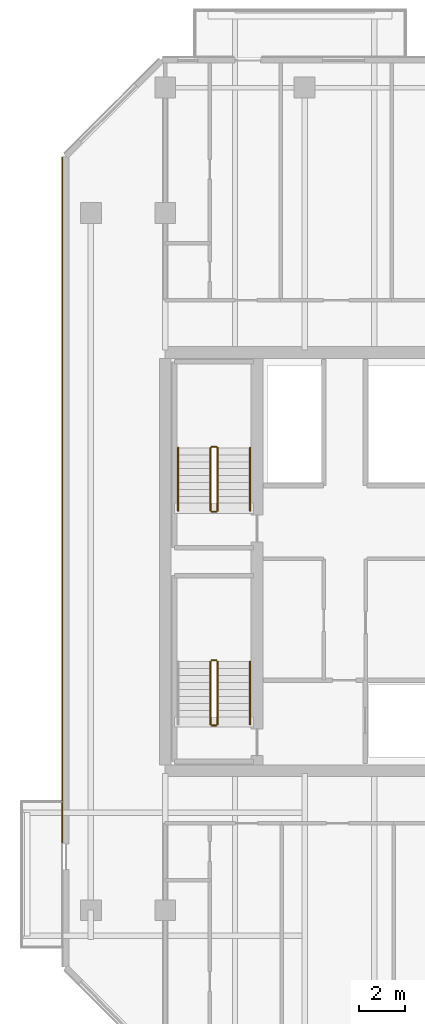
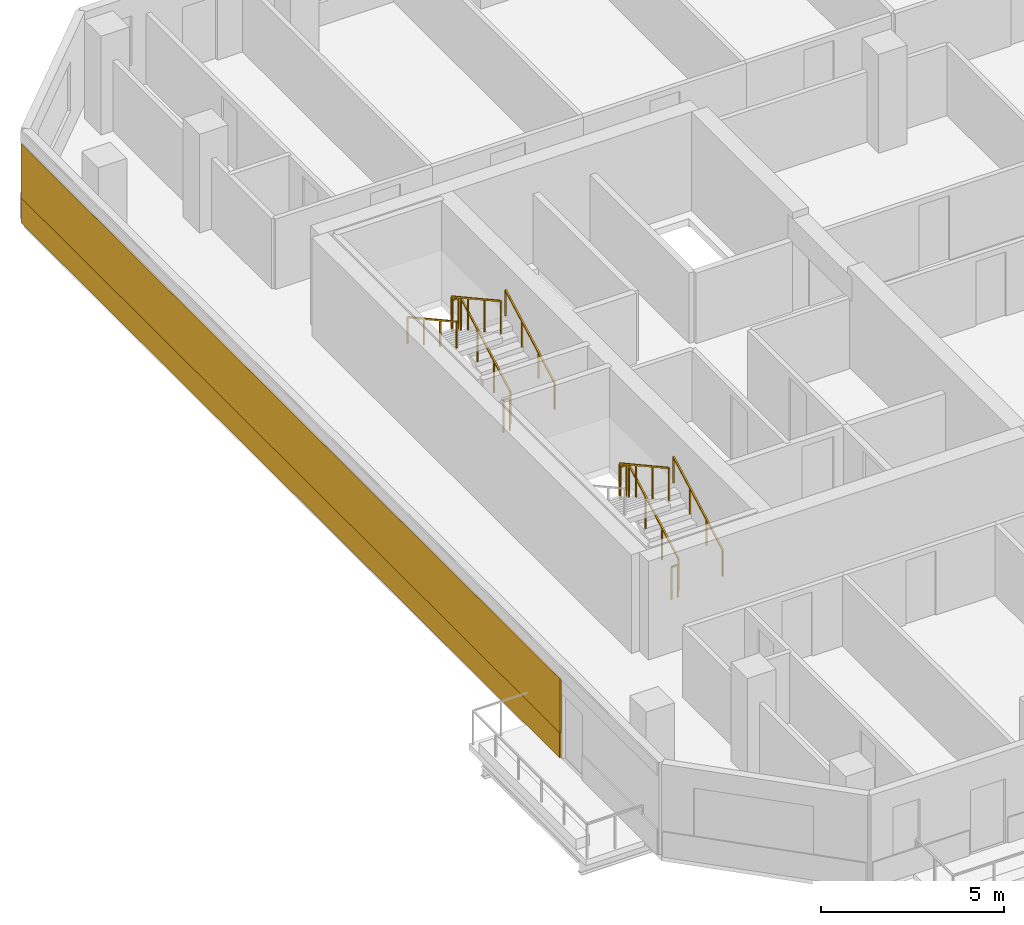
# One storey, part 17 of 19: 11 railings, 2 coverings.
"""IFC4 building model written with IfcOpenShell, lengths in metres."""

from ifc_helpers import new_model, si_unit, direction, frame, origin, origin_2d, place, context, subcontext, project, spatial, rectangle, extrude, material, layer, layer_set, type_object, element, save


model = new_model("IFC4")

# Units and contexts
model_context = context("Model", 3, precision=1e-05, world=origin(), true_north=direction((0.0, 1.0)))
body_context = subcontext(model_context, "Body", "Model", "MODEL_VIEW")
ifc_project = project(units=[si_unit("LENGTHUNIT", "METRE"), si_unit("AREAUNIT", "SQUARE_METRE"), si_unit("VOLUMEUNIT", "CUBIC_METRE"), si_unit("PLANEANGLEUNIT", "RADIAN"), si_unit("MASSUNIT", "GRAM", prefix="KILO")], contexts=[model_context])

# Site, building, storey
site_placement = place(None, origin())
site = spatial("IfcSite", under=ifc_project, at=site_placement, CompositionType="ELEMENT")
building_placement = place(site_placement, origin())
building = spatial("IfcBuilding", under=site, at=building_placement, Name="Tanjung Sevakor Pilgrim Tower", CompositionType="ELEMENT")
storey_placement = place(building_placement, frame((0.0, 0.0, 132.0)))
storey = spatial("IfcBuildingStorey", under=building, at=storey_placement, Name="L36", CompositionType="ELEMENT", Elevation=132.0)

# Coverings
ifc_material_1 = material(Name="Reconstructed Limestone Cladding", Category="masonry")
ifc_layer = layer(ifc_material_1, 0.044921875)
ifc_layer_set = layer_set([ifc_layer], Name="COV-CLAD-LIMESTONE")
covering_type = type_object("IfcCoveringType", Name="COV-CLAD-LIMESTONE", PredefinedType="CLADDING", material=ifc_layer_set)
covering_1_placement = place(storey_placement, frame((19.577392578125, 36.259033203125, 0.009765625), z_axis=(0.0, 0.0, 1.0), x_axis=(0.0, -1.0, 0.0)))
element("IfcCovering", 1, at=covering_1_placement, inside=storey, type_object=covering_type, Name="L36 Warm Limestone Sill Spandrel EW-L36-MAIN-15-1", PredefinedType="CLADDING", context=body_context, shape_type="SweptSolid", body=[
    extrude(rectangle(XDim=29.498291015625, YDim=0.044921875, at=origin_2d()), origin(), (0.0, 0.0, 1.0), 0.840087890625),
])
covering_2_placement = place(storey_placement, frame((19.577392578125, 36.254150390625, 0.849853515625), z_axis=(0.0, 0.0, 1.0), x_axis=(0.0, -1.0, 0.0)))
element("IfcCovering", 2, at=covering_2_placement, inside=storey, type_object=covering_type, Name="L36 Warm Limestone Pier Panel EW-L36-MAIN-15-1", PredefinedType="CLADDING", context=body_context, shape_type="SweptSolid", body=[
    extrude(rectangle(XDim=29.50830078125, YDim=0.044921875, at=origin_2d()), origin(), (0.0, 0.0, 1.0), 1.81005859375),
])

# Railings
ifc_material_2 = material(Name="Steel S355J2", Category="steel")
railing_type_1 = type_object("IfcRailingType", Name="RL-STAIR-GUARD", PredefinedType="GUARDRAIL", material=ifc_material_2)
railing_1_placement = place(storey_placement, frame((26.25, 26.60009765625, 0.1650390625)))
element("IfcRailing", 3, at=railing_1_placement, inside=storey, type_object=railing_type_1, Name="L36 TS-W1 stair guard 1", PredefinedType="GUARDRAIL", context=body_context, shape_type="SweptSolid", body=[
    extrude(rectangle(XDim=0.0479, YDim=0.0479), frame((0.0, 0.0, 1.076171875), z_axis=(0.0, 0.876230963923, 0.481891375584), x_axis=(-1.0, 0.0, 0.0)), (0.0, 0.0, 1.0), 3.081298828125),
    extrude(rectangle(XDim=0.042, YDim=0.042), origin(), (0.0, 0.0, 1.0), 1.052001953125),
    extrude(rectangle(XDim=0.042, YDim=0.042), frame((0.0, 0.89990234375, 0.494873046875)), (0.0, 0.0, 1.0), 1.052001953125),
    extrude(rectangle(XDim=0.042, YDim=0.042), frame((0.0, 1.800048828125, 0.989990234375)), (0.0, 0.0, 1.0), 1.052001953125),
    extrude(rectangle(XDim=0.042, YDim=0.042), frame((0.0, 2.699951171875, 1.48486328125)), (0.0, 0.0, 1.0), 1.052001953125),
])
railing_2_placement = place(storey_placement, frame((26.199951171875, 29.35009765625, 1.64990234375)))
element("IfcRailing", 4, at=railing_2_placement, inside=storey, type_object=railing_type_1, Name="L36 TS-W1 stair guard 2", PredefinedType="GUARDRAIL", context=body_context, shape_type="SweptSolid", body=[
    extrude(rectangle(XDim=0.0479, YDim=0.0479), frame((0.0, 0.0, 1.076171875), z_axis=(-1.0, 0.0, 0.0), x_axis=(0.0, -1.0, 0.0)), (0.0, 0.0, 1.0), 0.199951171875),
    extrude(rectangle(XDim=0.042, YDim=0.042), origin(), (0.0, 0.0, 1.0), 1.052001953125),
    extrude(rectangle(XDim=0.042, YDim=0.042), frame((-0.199951171875, 0.0, 0.0)), (0.0, 0.0, 1.0), 1.052001953125),
])
railing_3_placement = place(storey_placement, frame((25.949951171875, 29.300048828125, 1.81494140625)))
element("IfcRailing", 5, at=railing_3_placement, inside=storey, type_object=railing_type_1, Name="L36 TS-W1 stair guard 3", PredefinedType="GUARDRAIL", context=body_context, shape_type="SweptSolid", body=[
    extrude(rectangle(XDim=0.0479, YDim=0.0479), frame((0.0, 0.0, 1.076171875), z_axis=(0.0, -0.876197507361, 0.481952205197), x_axis=(1.0, 0.0, 0.0)), (0.0, 0.0, 1.0), 3.08154296875),
    extrude(rectangle(XDim=0.042, YDim=0.042), origin(), (0.0, 0.0, 1.0), 1.052001953125),
    extrude(rectangle(XDim=0.042, YDim=0.042), frame((0.0, -0.89990234375, 0.4951171875)), (0.0, 0.0, 1.0), 1.052001953125),
    extrude(rectangle(XDim=0.042, YDim=0.042), frame((0.0, -1.800048828125, 0.989990234375)), (0.0, 0.0, 1.0), 1.052001953125),
    extrude(rectangle(XDim=0.042, YDim=0.042), frame((0.0, -2.699951171875, 1.485107421875)), (0.0, 0.0, 1.0), 1.052001953125),
])
railing_4_placement = place(storey_placement, frame((26.199951171875, 26.550048828125, 0.0)))
element("IfcRailing", 6, at=railing_4_placement, inside=storey, type_object=railing_type_1, Name="L36 TS-W1 stair guard 4", PredefinedType="GUARDRAIL", context=body_context, shape_type="SweptSolid", body=[
    extrude(rectangle(XDim=0.0479, YDim=0.0479), frame((0.0, 0.0, 1.076171875), z_axis=(-1.0, 0.0, 0.0), x_axis=(0.0, -1.0, 0.0)), (0.0, 0.0, 1.0), 0.199951171875),
    extrude(rectangle(XDim=0.042, YDim=0.042), origin(), (0.0, 0.0, 1.0), 1.052001953125),
    extrude(rectangle(XDim=0.042, YDim=0.042), frame((-0.199951171875, 0.0, 0.0)), (0.0, 0.0, 1.0), 1.052001953125),
])
railing_5_placement = place(storey_placement, frame((26.25, 35.800048828125, 0.1650390625)))
element("IfcRailing", 7, at=railing_5_placement, inside=storey, type_object=railing_type_1, Name="L36 TS-W2 stair guard 1", PredefinedType="GUARDRAIL", context=body_context, shape_type="SweptSolid", body=[
    extrude(rectangle(XDim=0.0479, YDim=0.0479), frame((0.0, 0.0, 1.076171875), z_axis=(0.0, 0.876230963923, 0.481891375584), x_axis=(-1.0, 0.0, 0.0)), (0.0, 0.0, 1.0), 3.081298828125),
    extrude(rectangle(XDim=0.042, YDim=0.042), origin(), (0.0, 0.0, 1.0), 1.052001953125),
    extrude(rectangle(XDim=0.042, YDim=0.042), frame((0.0, 0.89990234375, 0.494873046875)), (0.0, 0.0, 1.0), 1.052001953125),
    extrude(rectangle(XDim=0.042, YDim=0.042), frame((0.0, 1.800048828125, 0.989990234375)), (0.0, 0.0, 1.0), 1.052001953125),
    extrude(rectangle(XDim=0.042, YDim=0.042), frame((0.0, 2.699951171875, 1.48486328125)), (0.0, 0.0, 1.0), 1.052001953125),
])
railing_6_placement = place(storey_placement, frame((26.199951171875, 38.550048828125, 1.64990234375)))
element("IfcRailing", 8, at=railing_6_placement, inside=storey, type_object=railing_type_1, Name="L36 TS-W2 stair guard 2", PredefinedType="GUARDRAIL", context=body_context, shape_type="SweptSolid", body=[
    extrude(rectangle(XDim=0.0479, YDim=0.0479), frame((0.0, 0.0, 1.076171875), z_axis=(-1.0, 0.0, 0.0), x_axis=(0.0, -1.0, 0.0)), (0.0, 0.0, 1.0), 0.199951171875),
    extrude(rectangle(XDim=0.042, YDim=0.042), origin(), (0.0, 0.0, 1.0), 1.052001953125),
    extrude(rectangle(XDim=0.042, YDim=0.042), frame((-0.199951171875, 0.0, 0.0)), (0.0, 0.0, 1.0), 1.052001953125),
])
railing_7_placement = place(storey_placement, frame((25.949951171875, 38.5, 1.81494140625)))
element("IfcRailing", 9, at=railing_7_placement, inside=storey, type_object=railing_type_1, Name="L36 TS-W2 stair guard 3", PredefinedType="GUARDRAIL", context=body_context, shape_type="SweptSolid", body=[
    extrude(rectangle(XDim=0.0479, YDim=0.0479), frame((0.0, 0.0, 1.076171875), z_axis=(0.0, -0.876197507361, 0.481952205197), x_axis=(1.0, 0.0, 0.0)), (0.0, 0.0, 1.0), 3.08154296875),
    extrude(rectangle(XDim=0.042, YDim=0.042), origin(), (0.0, 0.0, 1.0), 1.052001953125),
    extrude(rectangle(XDim=0.042, YDim=0.042), frame((0.0, -0.89990234375, 0.4951171875)), (0.0, 0.0, 1.0), 1.052001953125),
    extrude(rectangle(XDim=0.042, YDim=0.042), frame((0.0, -1.800048828125, 0.989990234375)), (0.0, 0.0, 1.0), 1.052001953125),
    extrude(rectangle(XDim=0.042, YDim=0.042), frame((0.0, -2.699951171875, 1.485107421875)), (0.0, 0.0, 1.0), 1.052001953125),
])
railing_8_placement = place(storey_placement, frame((26.199951171875, 35.75, 0.0)))
element("IfcRailing", 10, at=railing_8_placement, inside=storey, type_object=railing_type_1, Name="L36 TS-W2 stair guard 4", PredefinedType="GUARDRAIL", context=body_context, shape_type="SweptSolid", body=[
    extrude(rectangle(XDim=0.0479, YDim=0.0479), frame((0.0, 0.0, 1.076171875), z_axis=(-1.0, 0.0, 0.0), x_axis=(0.0, -1.0, 0.0)), (0.0, 0.0, 1.0), 0.199951171875),
    extrude(rectangle(XDim=0.042, YDim=0.042), origin(), (0.0, 0.0, 1.0), 1.052001953125),
    extrude(rectangle(XDim=0.042, YDim=0.042), frame((-0.199951171875, 0.0, 0.0)), (0.0, 0.0, 1.0), 1.052001953125),
])
ifc_material_3 = material(Name="Steel S355J2", Category="steel")
railing_type_2 = type_object("IfcRailingType", Name="RL-STAIR-HAND", PredefinedType="HANDRAIL", material=ifc_material_3)
for number, where, name in (
    (11, (27.64990234375, 26.60009765625, 0.1650390625), "L36 TS-W1 stair handrail 1"),
    (12, (27.64990234375, 35.800048828125, 0.1650390625), "L36 TS-W2 stair handrail 1"),
):
    element("IfcRailing", number, at=place(storey_placement, frame(where)), inside=storey, type_object=railing_type_2, Name=name, PredefinedType="HANDRAIL", context=body_context, shape_type="SweptSolid", body=[
        extrude(rectangle(XDim=0.0479, YDim=0.0479), frame((0.0, 0.0, 0.8759765625), z_axis=(0.0, 0.876230963923, 0.481891375584), x_axis=(-1.0, 0.0, 0.0)), (0.0, 0.0, 1.0), 3.081298828125),
        extrude(rectangle(XDim=0.042, YDim=0.042), origin(), (0.0, 0.0, 1.0), 0.851806640625),
        extrude(rectangle(XDim=0.042, YDim=0.042), frame((0.0, 0.89990234375, 0.494873046875)), (0.0, 0.0, 1.0), 0.851806640625),
        extrude(rectangle(XDim=0.042, YDim=0.042), frame((0.0, 1.800048828125, 0.989990234375)), (0.0, 0.0, 1.0), 0.851806640625),
        extrude(rectangle(XDim=0.042, YDim=0.042), frame((0.0, 2.699951171875, 1.48486328125)), (0.0, 0.0, 1.0), 0.851806640625),
    ])
railing_9_placement = place(storey_placement, frame((24.550048828125, 38.5, 1.81494140625)))
element("IfcRailing", 13, at=railing_9_placement, inside=storey, type_object=railing_type_2, Name="L36 TS-W2 stair handrail 2", PredefinedType="HANDRAIL", context=body_context, shape_type="SweptSolid", body=[
    extrude(rectangle(XDim=0.0479, YDim=0.0479), frame((0.0, 0.0, 0.8759765625), z_axis=(0.0, -0.876197507361, 0.481952205197), x_axis=(1.0, 0.0, 0.0)), (0.0, 0.0, 1.0), 3.08154296875),
    extrude(rectangle(XDim=0.042, YDim=0.042), origin(), (0.0, 0.0, 1.0), 0.851806640625),
    extrude(rectangle(XDim=0.042, YDim=0.042), frame((0.0, -0.89990234375, 0.4951171875)), (0.0, 0.0, 1.0), 0.851806640625),
    extrude(rectangle(XDim=0.042, YDim=0.042), frame((0.0, -1.800048828125, 0.989990234375)), (0.0, 0.0, 1.0), 0.851806640625),
    extrude(rectangle(XDim=0.042, YDim=0.042), frame((0.0, -2.699951171875, 1.485107421875)), (0.0, 0.0, 1.0), 0.851806640625),
])

save(model, "model.ifc")
